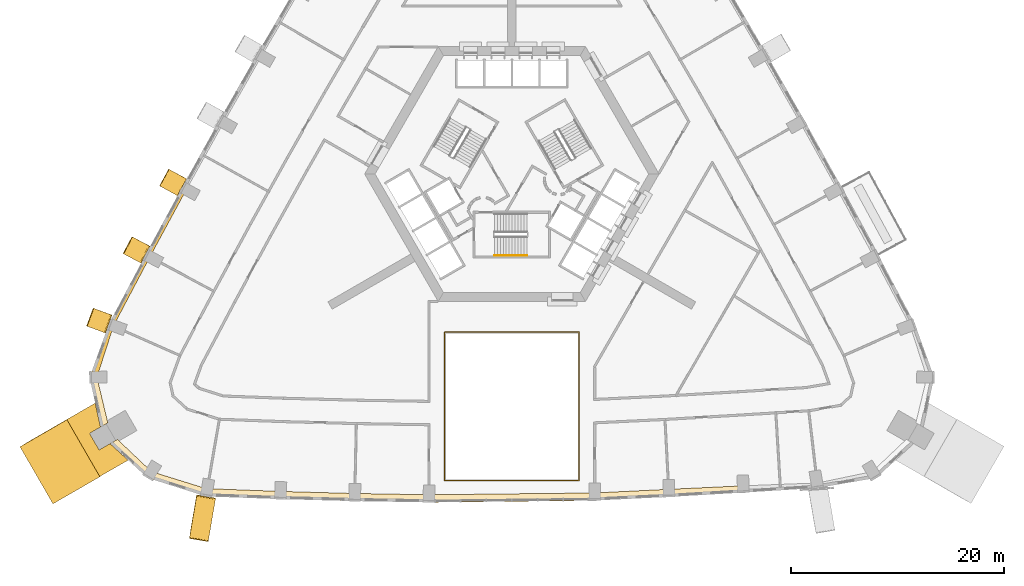
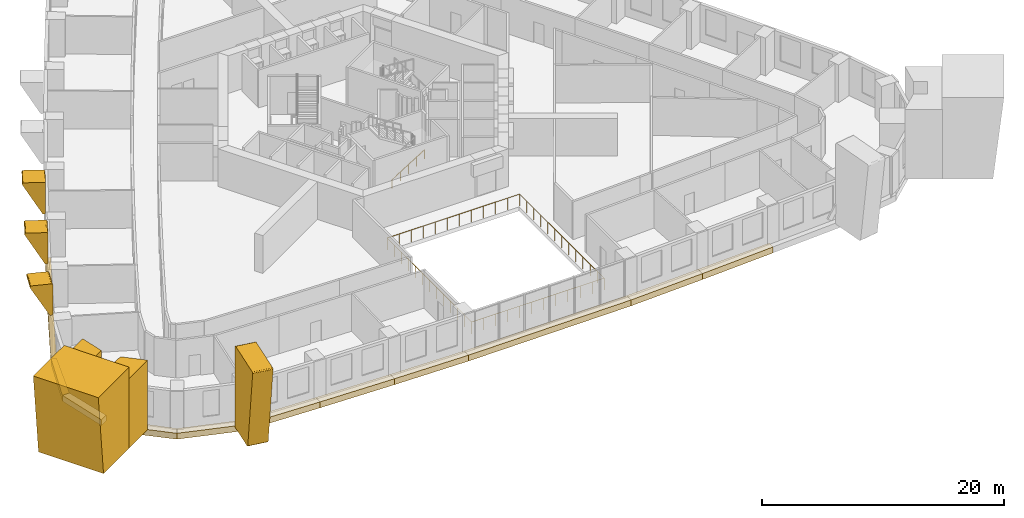
# One storey, part 13 of 15: 18 coverings, 2 railings.
"""IFC4 building model written with IfcOpenShell, lengths in metres."""

from ifc_helpers import new_model, si_unit, direction, frame, origin, origin_2d, place, context, subcontext, project, spatial, polyline, circle, outline, extrude, material, type_object, element, save


model = new_model("IFC4")

# Units and contexts
model_context = context("Model", 3, precision=1e-05, world=origin(), true_north=direction((0.0, 1.0)))
body_context = subcontext(model_context, "Body", "Model", "MODEL_VIEW")
ifc_project = project(units=[si_unit("LENGTHUNIT", "METRE"), si_unit("AREAUNIT", "SQUARE_METRE"), si_unit("VOLUMEUNIT", "CUBIC_METRE"), si_unit("PLANEANGLEUNIT", "RADIAN"), si_unit("MASSUNIT", "GRAM", prefix="KILO")], contexts=[model_context])

# Site, building, storey
site_placement = place(None, origin())
site = spatial("IfcSite", under=ifc_project, at=site_placement, CompositionType="ELEMENT")
building_placement = place(site_placement, origin())
building = spatial("IfcBuilding", under=site, at=building_placement, Name="Entoto Arch Interchange Tower", CompositionType="ELEMENT")
storey_placement = place(building_placement, frame((0.0, 0.0, 124.39990234375)))
storey = spatial("IfcBuildingStorey", under=building, at=storey_placement, Name="L27", CompositionType="ELEMENT", Elevation=124.39990234375)

# Railing
ifc_material_1 = material(Name="Stainless steel 1.4301", Category="steel")
railing_type_1 = type_object("IfcRailingType", Name="ATRIUM GUARD 1200 STEEL AND GLASS", PredefinedType="GUARDRAIL", material=ifc_material_1)
railing_1_placement = place(storey_placement, frame((6.320068359375, -26.344970703125, 0.0)))
element("IfcRailing", 1, at=railing_1_placement, inside=storey, type_object=railing_type_1, Name="Atrium guard L27", PredefinedType="GUARDRAIL", context=body_context, shape_type="SweptSolid", body=[
    extrude(circle(Radius=0.02392578125, at=origin_2d()), frame((0.0, 0.0, 1.17578125), z_axis=(-1.0, 0.0, 0.0), x_axis=(0.0, -1.0, 0.0)), (0.0, 0.0, 1.0), 12.64013671875),
    extrude(circle(Radius=0.02392578125, at=origin_2d()), frame((-12.64013671875, 0.0, 1.17578125), z_axis=(0.0, 1.0, 0.0), x_axis=(-1.0, 0.0, 0.0)), (0.0, 0.0, 1.0), 13.965087890625),
    extrude(circle(Radius=0.02392578125, at=origin_2d()), frame((-12.64013671875, 13.965087890625, 1.17578125), z_axis=(1.0, 0.0, 0.0), x_axis=(0.0, 1.0, 0.0)), (0.0, 0.0, 1.0), 12.64013671875),
    extrude(circle(Radius=0.02392578125, at=origin_2d()), frame((0.0, 13.965087890625, 1.17578125), z_axis=(0.0, -1.0, 0.0), x_axis=(1.0, 0.0, 0.0)), (0.0, 0.0, 1.0), 13.965087890625),
    extrude(circle(Radius=0.02099609375, at=origin_2d()), origin(), (0.0, 0.0, 1.0), 1.15185546875),
    extrude(circle(Radius=0.02099609375, at=origin_2d()), frame((-1.149169921875, 0.0, 0.0)), (0.0, 0.0, 1.0), 1.15185546875),
    extrude(circle(Radius=0.02099609375, at=origin_2d()), frame((-2.298095703125, 0.0, 0.0)), (0.0, 0.0, 1.0), 1.15185546875),
    extrude(circle(Radius=0.02099609375, at=origin_2d()), frame((-3.447265625, 0.0, 0.0)), (0.0, 0.0, 1.0), 1.15185546875),
    extrude(circle(Radius=0.02099609375, at=origin_2d()), frame((-4.596435546875, 0.0, 0.0)), (0.0, 0.0, 1.0), 1.15185546875),
    extrude(circle(Radius=0.02099609375, at=origin_2d()), frame((-5.74560546875, 0.0, 0.0)), (0.0, 0.0, 1.0), 1.15185546875),
    extrude(circle(Radius=0.02099609375, at=origin_2d()), frame((-6.89453125, 0.0, 0.0)), (0.0, 0.0, 1.0), 1.15185546875),
    extrude(circle(Radius=0.02099609375, at=origin_2d()), frame((-8.043701171875, 0.0, 0.0)), (0.0, 0.0, 1.0), 1.15185546875),
    extrude(circle(Radius=0.02099609375, at=origin_2d()), frame((-9.19287109375, 0.0, 0.0)), (0.0, 0.0, 1.0), 1.15185546875),
    extrude(circle(Radius=0.02099609375, at=origin_2d()), frame((-10.342041015625, 0.0, 0.0)), (0.0, 0.0, 1.0), 1.15185546875),
    extrude(circle(Radius=0.02099609375, at=origin_2d()), frame((-11.490966796875, 0.0, 0.0)), (0.0, 0.0, 1.0), 1.15185546875),
    extrude(circle(Radius=0.02099609375, at=origin_2d()), frame((-12.64013671875, 0.0, 0.0)), (0.0, 0.0, 1.0), 1.15185546875),
    extrude(circle(Radius=0.02099609375, at=origin_2d()), frame((-12.64013671875, 1.163818359375, 0.0)), (0.0, 0.0, 1.0), 1.15185546875),
    extrude(circle(Radius=0.02099609375, at=origin_2d()), frame((-12.64013671875, 2.32763671875, 0.0)), (0.0, 0.0, 1.0), 1.15185546875),
    extrude(circle(Radius=0.02099609375, at=origin_2d()), frame((-12.64013671875, 3.4912109375, 0.0)), (0.0, 0.0, 1.0), 1.15185546875),
    extrude(circle(Radius=0.02099609375, at=origin_2d()), frame((-12.64013671875, 4.655029296875, 0.0)), (0.0, 0.0, 1.0), 1.15185546875),
    extrude(circle(Radius=0.02099609375, at=origin_2d()), frame((-12.64013671875, 5.81884765625, 0.0)), (0.0, 0.0, 1.0), 1.15185546875),
    extrude(circle(Radius=0.02099609375, at=origin_2d()), frame((-12.64013671875, 6.982421875, 0.0)), (0.0, 0.0, 1.0), 1.15185546875),
    extrude(circle(Radius=0.02099609375, at=origin_2d()), frame((-12.64013671875, 8.146240234375, 0.0)), (0.0, 0.0, 1.0), 1.15185546875),
    extrude(circle(Radius=0.02099609375, at=origin_2d()), frame((-12.64013671875, 9.31005859375, 0.0)), (0.0, 0.0, 1.0), 1.15185546875),
    extrude(circle(Radius=0.02099609375, at=origin_2d()), frame((-12.64013671875, 10.473876953125, 0.0)), (0.0, 0.0, 1.0), 1.15185546875),
    extrude(circle(Radius=0.02099609375, at=origin_2d()), frame((-12.64013671875, 11.6376953125, 0.0)), (0.0, 0.0, 1.0), 1.15185546875),
    extrude(circle(Radius=0.02099609375, at=origin_2d()), frame((-12.64013671875, 12.80126953125, 0.0)), (0.0, 0.0, 1.0), 1.15185546875),
    extrude(circle(Radius=0.02099609375, at=origin_2d()), frame((-12.64013671875, 13.965087890625, 0.0)), (0.0, 0.0, 1.0), 1.15185546875),
    extrude(circle(Radius=0.02099609375, at=origin_2d()), frame((-11.490966796875, 13.965087890625, 0.0)), (0.0, 0.0, 1.0), 1.15185546875),
    extrude(circle(Radius=0.02099609375, at=origin_2d()), frame((-10.342041015625, 13.965087890625, 0.0)), (0.0, 0.0, 1.0), 1.15185546875),
    extrude(circle(Radius=0.02099609375, at=origin_2d()), frame((-9.19287109375, 13.965087890625, 0.0)), (0.0, 0.0, 1.0), 1.15185546875),
    extrude(circle(Radius=0.02099609375, at=origin_2d()), frame((-8.043701171875, 13.965087890625, 0.0)), (0.0, 0.0, 1.0), 1.15185546875),
    extrude(circle(Radius=0.02099609375, at=origin_2d()), frame((-6.89453125, 13.965087890625, 0.0)), (0.0, 0.0, 1.0), 1.15185546875),
    extrude(circle(Radius=0.02099609375, at=origin_2d()), frame((-5.74560546875, 13.965087890625, 0.0)), (0.0, 0.0, 1.0), 1.15185546875),
    extrude(circle(Radius=0.02099609375, at=origin_2d()), frame((-4.596435546875, 13.965087890625, 0.0)), (0.0, 0.0, 1.0), 1.15185546875),
    extrude(circle(Radius=0.02099609375, at=origin_2d()), frame((-3.447265625, 13.965087890625, 0.0)), (0.0, 0.0, 1.0), 1.15185546875),
    extrude(circle(Radius=0.02099609375, at=origin_2d()), frame((-2.298095703125, 13.965087890625, 0.0)), (0.0, 0.0, 1.0), 1.15185546875),
    extrude(circle(Radius=0.02099609375, at=origin_2d()), frame((-1.149169921875, 13.965087890625, 0.0)), (0.0, 0.0, 1.0), 1.15185546875),
    extrude(circle(Radius=0.02099609375, at=origin_2d()), frame((0.0, 13.965087890625, 0.0)), (0.0, 0.0, 1.0), 1.15185546875),
    extrude(circle(Radius=0.02099609375, at=origin_2d()), frame((0.0, 12.80126953125, 0.0)), (0.0, 0.0, 1.0), 1.15185546875),
    extrude(circle(Radius=0.02099609375, at=origin_2d()), frame((0.0, 11.6376953125, 0.0)), (0.0, 0.0, 1.0), 1.15185546875),
    extrude(circle(Radius=0.02099609375, at=origin_2d()), frame((0.0, 10.473876953125, 0.0)), (0.0, 0.0, 1.0), 1.15185546875),
    extrude(circle(Radius=0.02099609375, at=origin_2d()), frame((0.0, 9.31005859375, 0.0)), (0.0, 0.0, 1.0), 1.15185546875),
    extrude(circle(Radius=0.02099609375, at=origin_2d()), frame((0.0, 8.146240234375, 0.0)), (0.0, 0.0, 1.0), 1.15185546875),
    extrude(circle(Radius=0.02099609375, at=origin_2d()), frame((0.0, 6.982421875, 0.0)), (0.0, 0.0, 1.0), 1.15185546875),
    extrude(circle(Radius=0.02099609375, at=origin_2d()), frame((0.0, 5.81884765625, 0.0)), (0.0, 0.0, 1.0), 1.15185546875),
    extrude(circle(Radius=0.02099609375, at=origin_2d()), frame((0.0, 4.655029296875, 0.0)), (0.0, 0.0, 1.0), 1.15185546875),
    extrude(circle(Radius=0.02099609375, at=origin_2d()), frame((0.0, 3.4912109375, 0.0)), (0.0, 0.0, 1.0), 1.15185546875),
    extrude(circle(Radius=0.02099609375, at=origin_2d()), frame((0.0, 2.32763671875, 0.0)), (0.0, 0.0, 1.0), 1.15185546875),
    extrude(circle(Radius=0.02099609375, at=origin_2d()), frame((0.0, 1.163818359375, 0.0)), (0.0, 0.0, 1.0), 1.15185546875),
])

# Coverings
ifc_material_2 = material(Name="Board-marked precast concrete C50/60", Category="concrete")
covering_type_1 = type_object("IfcCoveringType", Name="PRECAST FRAME COURSE", PredefinedType="CLADDING", material=ifc_material_2)
covering_1_placement = place(storey_placement, frame((0.0, 0.0, -0.39990234375)))
element("IfcCovering", 2, at=covering_1_placement, inside=storey, type_object=covering_type_1, Name="Corner pilaster SW L27-L28", PredefinedType="CLADDING", context=body_context, shape_type="SweptSolid", body=[
    extrude(outline(polyline([(-38.781982421875, -25.970947265625), (-41.882080078125, -20.60107421875), (-39.2099609375, -19.05908203125), (-38.715087890625, -21.31396484375), (-39.741943359375, -21.906982421875), (-38.842041015625, -23.465087890625), (-37.81494140625, -22.8720703125), (-36.110107421875, -24.427978515625), (-38.781982421875, -25.970947265625)])), origin(), (0.0, 0.0, 1.0), 7.0),
])
covering_2_placement = place(storey_placement, frame((-41.882080078125, -20.60107421875, -0.39990234375), z_axis=(-0.500074812999, 0.865976806122, 0.003058212273), x_axis=(-0.865980855139, -0.50007715258, 3.96222e-07)))
element("IfcCovering", 3, at=covering_2_placement, inside=storey, type_object=covering_type_1, Name="Corner rib SW L27-L28", PredefinedType="CLADDING", context=body_context, shape_type="SweptSolid", body=[
    extrude(outline(polyline([(0.0, 0.0), (4.194212444621124, 0.0), (5.099826361168264, 8.199987497157565), (-0.00042546741410855453, 8.199991179848439), (0.0, 0.0)])), origin(), (0.0, 0.0, -1.0), 6.199951171875),
])
covering_3_placement = place(storey_placement, frame((-29.696044921875, -27.833984375, -0.39990234375), z_axis=(-0.985747374965, 0.168206622308, 0.002940231381), x_axis=(0.167670202775, 0.980876118066, 0.098836957205)))
element("IfcCovering", 4, at=covering_3_placement, inside=storey, type_object=covering_type_1, Name="Fold rib S01 L27-L28", PredefinedType="CLADDING", context=body_context, shape_type="SweptSolid", body=[
    extrude(outline(polyline([(0.0, 0.0), (0.029646331981095248, 4.336808689942018e-19), (0.05839736232574305, -0.005238133954807928), (0.08625588904742874, -0.01645750004113176), (0.11034545363052123, -0.03320187877456831), (0.13082581230910584, -0.05422928803270677), (0.14738510302515467, -0.07883480188030459), (0.15843104877705344, -0.10595427168384319), (0.16415206302681845, -0.13433480438029946), (0.9451585962776836, -7.995818757430527), (0.9447532074987528, -8.025053317206241), (0.9349262192876682, -8.068229225201561), (0.9122969280079417, -8.105561366447207), (0.879388351737364, -8.134836506007753), (0.839466053795767, -8.154012633439006), (0.8106383163193097, -8.159819386824791), (-3.0437564717274745, -8.54265120681108), (-3.0734028037085697, -8.54265120681108), (-3.1022503545192386, -8.536441296199026), (-3.1431598105995295, -8.516459478648128), (-3.175853862385197, -8.48535927087309), (-3.1923890229847407, -8.460996701189805), (-3.2025736023686115, -8.432809828498252), (-3.208067951105647, -8.387231951838451), (-2.9047733671046525, -0.41805357515737607), (-2.8965261603871326, -0.37601678972314645), (-2.8769079851836716, -0.3380031052557195), (-2.8474525174965972, -0.3068623176958499), (-2.810873986879201, -0.28531745686527976), (-2.7689372473604634, -0.2750212183101406), (0.0, 0.0)])), origin(), (0.0, 0.0, -1.0), 1.800048828125),
])
covering_4_placement = place(storey_placement, frame((-30.842041015625, 2.177978515625, 4.693115234375), z_axis=(0.479418944573, 0.877580914585, 0.003035447371), x_axis=(0.495100383774, -0.267612266791, -0.826594994329)))
element("IfcCovering", 5, at=covering_4_placement, inside=storey, type_object=covering_type_1, Name="Fold rib NW07 L27-L28", PredefinedType="CLADDING", context=body_context, shape_type="SweptSolid", body=[
    extrude(outline(polyline([(0.0, 0.0), (0.028943685670712944, 1.734723475976807e-18), (0.05747777307891652, -0.006336467654341444), (0.09604137590637718, -0.02566829006916546), (0.12792486189128643, -0.05471067769283996), (0.14997837138366235, -0.09230822399913194), (0.1594373840315945, -0.12051918619735483), (0.1620145619943939, -0.14903086703282384), (0.15507845557489514, -0.19219887746546993), (0.13644856406114517, -0.23250944229097736), (0.10758240995411686, -0.26472701002664517), (-2.286939490541625, -1.8953089623593127), (-2.3122480034149944, -1.9097587234516793), (-2.355194244341454, -1.9212963913997012), (-2.398877342584552, -1.9191685700232837), (-2.4399318415460667, -1.9048566750576867), (-2.4761741154373933, -1.878522778188896), (-2.4951325333619665, -1.8558843082252732), (-3.4169763707542993, -0.5019232718973343), (-3.431212332751106, -0.47581030765083976), (-3.442571200730951, -0.4322272892829402), (-3.442465373567013, -0.4024552774285446), (-3.436994868413824, -0.373177907430315), (-3.4251143248542304, -0.3459490392528173), (-3.408632386569116, -0.32070169443818175), (-3.387139542871929, -0.30064665157117676), (-3.3623174763918278, -0.28374649246797956), (-3.3344314233186343, -0.2730809998243935), (-3.3057089478513686, -0.2675508191177598), (0.0, 0.0)])), origin(), (0.0, 0.0, -1.0), 1.800048828125),
])
covering_5_placement = place(storey_placement, frame((-34.2939453125, -4.160888671875, 4.696044921875), z_axis=(0.469255636782, 0.883057081139, 0.003055944828), x_axis=(0.528515039048, -0.278076615426, -0.802088055922)))
element("IfcCovering", 6, at=covering_5_placement, inside=storey, type_object=covering_type_1, Name="Fold rib NW08 L27-L28", PredefinedType="CLADDING", context=body_context, shape_type="SweptSolid", body=[
    extrude(outline(polyline([(0.0, 0.0), (0.04352608311491933, 3.469446951953614e-18), (0.0852833649361403, -0.013975873799917354), (0.1208373739620118, -0.038425277221467005), (0.13995106186870288, -0.06082688823911802), (0.1544285068259525, -0.08517679075429707), (0.16746735178033534, -0.1280364273029602), (0.16699396210209655, -0.17073370229269774), (0.1542511612655911, -0.21248609903709376), (0.13969826718239384, -0.23791256204985065), (0.11951917417694038, -0.25945537179510175), (-2.2023655620141245, -1.988637119418013), (-2.22697222837858, -2.0042364949664875), (-2.269977288117765, -2.0167931356784767), (-2.313564513425952, -2.0167127059186023), (-2.3554610239158738, -2.0037728070819165), (-2.3923812403139997, -1.9795342607362405), (-2.4124072493297573, -1.9575431360753233), (-3.385620549203278, -0.6504332286884054), (-3.4066211667835007, -0.6107799434713899), (-3.413652967082731, -0.5825328304930357), (-3.415080709224242, -0.5524063142479554), (-3.4105718423572426, -0.523302909869676), (-3.40044557265891, -0.4947967580325596), (-3.384321702296029, -0.4698470931037435), (-3.3641426092905755, -0.44830428335849226), (-3.3395403409715816, -0.4310617074468466), (-3.3128421723141597, -0.41827318947701153), (-3.284069596183166, -0.41194530885042124), (0.0, 0.0)])), origin(), (0.0, 0.0, -1.0), 1.800048828125),
])
covering_6_placement = place(storey_placement, frame((-37.875, -10.677001953125, 4.7001953125), z_axis=(0.347273683755, 0.937759564805, 0.002826161346), x_axis=(0.536121623576, -0.196063577282, -0.821055831474)))
element("IfcCovering", 7, at=covering_6_placement, inside=storey, type_object=covering_type_1, Name="Fold rib NW09 L27-L28", PredefinedType="CLADDING", context=body_context, shape_type="SweptSolid", body=[
    extrude(outline(polyline([(0.0, 0.0), (0.02944087549257626, -5.204170427930421e-18), (0.05805965667930548, -0.006096601401305177), (0.09748541552295188, -0.024311934601454213), (0.12994609004426189, -0.05346291537014475), (0.15244092390045563, -0.09138087070299342), (0.16086993623577026, -0.1188985616134666), (0.16384186818020668, -0.14797956038768112), (0.15843279372739616, -0.19109767372721456), (0.1400071710443559, -0.23088316742154982), (0.11166156576838276, -0.26367523966618234), (-2.261903439953829, -1.9143761860302357), (-2.286995937815924, -1.9291780149909283), (-2.3300227758839367, -1.9408544252932822), (-2.373809333956443, -1.9390345167831289), (-2.4153122076117786, -1.9246696225077777), (-2.4514109735367424, -1.8992666643418508), (-2.4701767585073555, -1.8774072211974027), (-3.391949319545838, -0.5515955120797715), (-3.411245888807004, -0.5118670029091277), (-3.4178618386409485, -0.48267572947695103), (-3.4179137620527564, -0.45309300474876957), (-3.412987314219942, -0.4233951654950556), (-3.401413110500593, -0.39599470977661455), (-3.385495596423689, -0.37184329570353913), (-3.364690264568625, -0.35087213835049713), (-3.3400345352543432, -0.3337301874617633), (-3.312608476878667, -0.3222837327386858), (-3.2839027562342396, -0.3165261129144812), (0.0, 0.0)])), origin(), (0.0, 0.0, -1.0), 1.800048828125),
])
covering_type_2 = type_object("IfcCoveringType", Name="PRECAST LEDGE COURSE", PredefinedType="CLADDING", material=ifc_material_2)
covering_7_placement = place(storey_placement, frame((0.0, 0.0, -1.0)))
element("IfcCovering", 8, at=covering_7_placement, inside=storey, type_object=covering_type_2, Name="Precast course S-01 L27", PredefinedType="CLADDING", context=body_context, shape_type="SweptSolid", body=[
    extrude(outline(polyline([(-21.7890625, -27.368896484375), (-21.7890625, -28.094970703125), (-28.783935546875, -27.8369140625), (-28.783935546875, -27.10107421875), (-21.7890625, -27.368896484375)])), origin(), (0.0, 0.0, 1.0), 0.60009765625),
])
covering_8_placement = place(storey_placement, frame((0.0, 0.0, -1.0)))
element("IfcCovering", 9, at=covering_8_placement, inside=storey, type_object=covering_type_2, Name="Precast course S-02 L27", PredefinedType="CLADDING", context=body_context, shape_type="SweptSolid", body=[
    extrude(outline(polyline([(-14.794921875, -27.56201171875), (-14.794921875, -28.281982421875), (-21.7890625, -28.094970703125), (-21.7890625, -27.368896484375), (-14.794921875, -27.56201171875)])), origin(), (0.0, 0.0, 1.0), 0.60009765625),
])
covering_9_placement = place(storey_placement, frame((0.0, 0.0, -1.0)))
element("IfcCovering", 10, at=covering_9_placement, inside=storey, type_object=covering_type_2, Name="Precast course S-03 L27", PredefinedType="CLADDING", context=body_context, shape_type="SweptSolid", body=[
    extrude(outline(polyline([(-7.800048828125, -27.681884765625), (-7.800048828125, -28.39794921875), (-14.794921875, -28.281982421875), (-14.794921875, -27.56201171875), (-7.800048828125, -27.681884765625)])), origin(), (0.0, 0.0, 1.0), 0.60009765625),
])
covering_10_placement = place(storey_placement, frame((0.0, 0.0, -1.0)))
element("IfcCovering", 11, at=covering_10_placement, inside=storey, type_object=covering_type_2, Name="Precast course S-04 L27", PredefinedType="CLADDING", context=body_context, shape_type="SweptSolid", body=[
    extrude(outline(polyline([(7.800048828125, -27.510009765625), (7.800048828125, -28.22509765625), (-7.800048828125, -28.39794921875), (-7.800048828125, -27.681884765625), (7.800048828125, -27.510009765625)])), origin(), (0.0, 0.0, 1.0), 0.60009765625),
])
covering_11_placement = place(storey_placement, frame((0.0, 0.0, -1.0)))
element("IfcCovering", 12, at=covering_11_placement, inside=storey, type_object=covering_type_2, Name="Precast course S-05 L27", PredefinedType="CLADDING", context=body_context, shape_type="SweptSolid", body=[
    extrude(outline(polyline([(14.794921875, -27.1669921875), (14.794921875, -27.886962890625), (7.800048828125, -28.22509765625), (7.800048828125, -27.510009765625), (14.794921875, -27.1669921875)])), origin(), (0.0, 0.0, 1.0), 0.60009765625),
])
covering_12_placement = place(storey_placement, frame((0.0, 0.0, -1.0)))
element("IfcCovering", 13, at=covering_12_placement, inside=storey, type_object=covering_type_2, Name="Precast course S-06 L27", PredefinedType="CLADDING", context=body_context, shape_type="SweptSolid", body=[
    extrude(outline(polyline([(21.7890625, -26.841064453125), (21.7890625, -27.47802734375), (14.794921875, -27.886962890625), (14.794921875, -27.1669921875), (21.7890625, -26.841064453125)])), origin(), (0.0, 0.0, 1.0), 0.60009765625),
])
covering_13_placement = place(storey_placement, frame((0.0, 0.0, -1.0)))
element("IfcCovering", 14, at=covering_13_placement, inside=storey, type_object=covering_type_2, Name="Precast course NW-07 L27", PredefinedType="CLADDING", context=body_context, shape_type="SweptSolid", body=[
    extrude(outline(polyline([(-34.06103515625, -5.303955078125), (-34.468994140625, -5.0869140625), (-31.028076171875, 1.25390625), (-30.6279296875, 1.035888671875), (-34.06103515625, -5.303955078125)])), origin(), (0.0, 0.0, 1.0), 0.60009765625),
])
covering_14_placement = place(storey_placement, frame((0.0, 0.0, -1.0)))
element("IfcCovering", 15, at=covering_14_placement, inside=storey, type_object=covering_type_2, Name="Precast course NW-08 L27", PredefinedType="CLADDING", context=body_context, shape_type="SweptSolid", body=[
    extrude(outline(polyline([(-37.47900390625, -11.782958984375), (-37.924072265625, -11.617919921875), (-34.468994140625, -5.0869140625), (-34.06103515625, -5.303955078125), (-37.47900390625, -11.782958984375)])), origin(), (0.0, 0.0, 1.0), 0.60009765625),
])
covering_15_placement = place(storey_placement, frame((0.0, 0.0, -1.0)))
element("IfcCovering", 16, at=covering_15_placement, inside=storey, type_object=covering_type_2, Name="Precast course SW-01 L27", PredefinedType="CLADDING", context=body_context, shape_type="SweptSolid", body=[
    extrude(outline(polyline([(-39.047119140625, -16.617919921875), (-39.740966796875, -16.635009765625), (-37.924072265625, -11.617919921875), (-37.47900390625, -11.782958984375), (-39.047119140625, -16.617919921875)])), origin(), (0.0, 0.0, 1.0), 0.60009765625),
])
covering_16_placement = place(storey_placement, frame((0.0, 0.0, -1.0)))
element("IfcCovering", 17, at=covering_16_placement, inside=storey, type_object=covering_type_2, Name="Precast course SW-02 L27", PredefinedType="CLADDING", context=body_context, shape_type="SweptSolid", body=[
    extrude(outline(polyline([(-38.01904296875, -20.912109375), (-38.715087890625, -21.31396484375), (-39.740966796875, -16.635009765625), (-39.047119140625, -16.617919921875), (-38.01904296875, -20.912109375)])), origin(), (0.0, 0.0, 1.0), 0.60009765625),
])
covering_17_placement = place(storey_placement, frame((0.0, 0.0, -1.0)))
element("IfcCovering", 18, at=covering_17_placement, inside=storey, type_object=covering_type_2, Name="Precast course SW-03 L27", PredefinedType="CLADDING", context=body_context, shape_type="SweptSolid", body=[
    extrude(outline(polyline([(-33.9150390625, -25.506103515625), (-34.27587890625, -26.10009765625), (-37.81494140625, -22.8720703125), (-37.118896484375, -22.470947265625), (-33.9150390625, -25.506103515625)])), origin(), (0.0, 0.0, 1.0), 0.60009765625),
])
covering_18_placement = place(storey_placement, frame((0.0, 0.0, -1.0)))
element("IfcCovering", 19, at=covering_18_placement, inside=storey, type_object=covering_type_2, Name="Precast course SW-04 L27", PredefinedType="CLADDING", context=body_context, shape_type="SweptSolid", body=[
    extrude(outline(polyline([(-28.783935546875, -27.10107421875), (-28.783935546875, -27.8369140625), (-34.27587890625, -26.10009765625), (-33.9150390625, -25.506103515625), (-28.783935546875, -27.10107421875)])), origin(), (0.0, 0.0, 1.0), 0.60009765625),
])

# Railing
railing_type_2 = type_object("IfcRailingType", Name="STAIR HANDRAIL 900 STEEL", PredefinedType="HANDRAIL", material=ifc_material_1)
railing_2_placement = place(storey_placement, frame((-1.64990234375, -5.14990234375, 0.175048828125)))
element("IfcRailing", 20, at=railing_2_placement, inside=storey, type_object=railing_type_2, Name="L27 ST-S stair handrail 1", PredefinedType="HANDRAIL", context=body_context, shape_type="SweptSolid", body=[
    extrude(circle(Radius=0.02392578125, at=origin_2d()), frame((0.0, 0.0, 0.8759765625), z_axis=(0.847979421464, 0.0, 0.530029150871), x_axis=(0.0, 1.0, 0.0)), (0.0, 0.0, 1.0), 3.632080078125),
    extrude(circle(Radius=0.02099609375, at=origin_2d()), origin(), (0.0, 0.0, 1.0), 0.851806640625),
    extrude(circle(Radius=0.02099609375, at=origin_2d()), frame((0.77001953125, 0.0, 0.481201171875)), (0.0, 0.0, 1.0), 0.851806640625),
    extrude(circle(Radius=0.02099609375, at=origin_2d()), frame((1.5400390625, 0.0, 0.96240234375)), (0.0, 0.0, 1.0), 0.851806640625),
    extrude(circle(Radius=0.02099609375, at=origin_2d()), frame((2.309814453125, 0.0, 1.44384765625)), (0.0, 0.0, 1.0), 0.851806640625),
    extrude(circle(Radius=0.02099609375, at=origin_2d()), frame((3.079833984375, 0.0, 1.925048828125)), (0.0, 0.0, 1.0), 0.851806640625),
])

save(model, "model.ifc")
